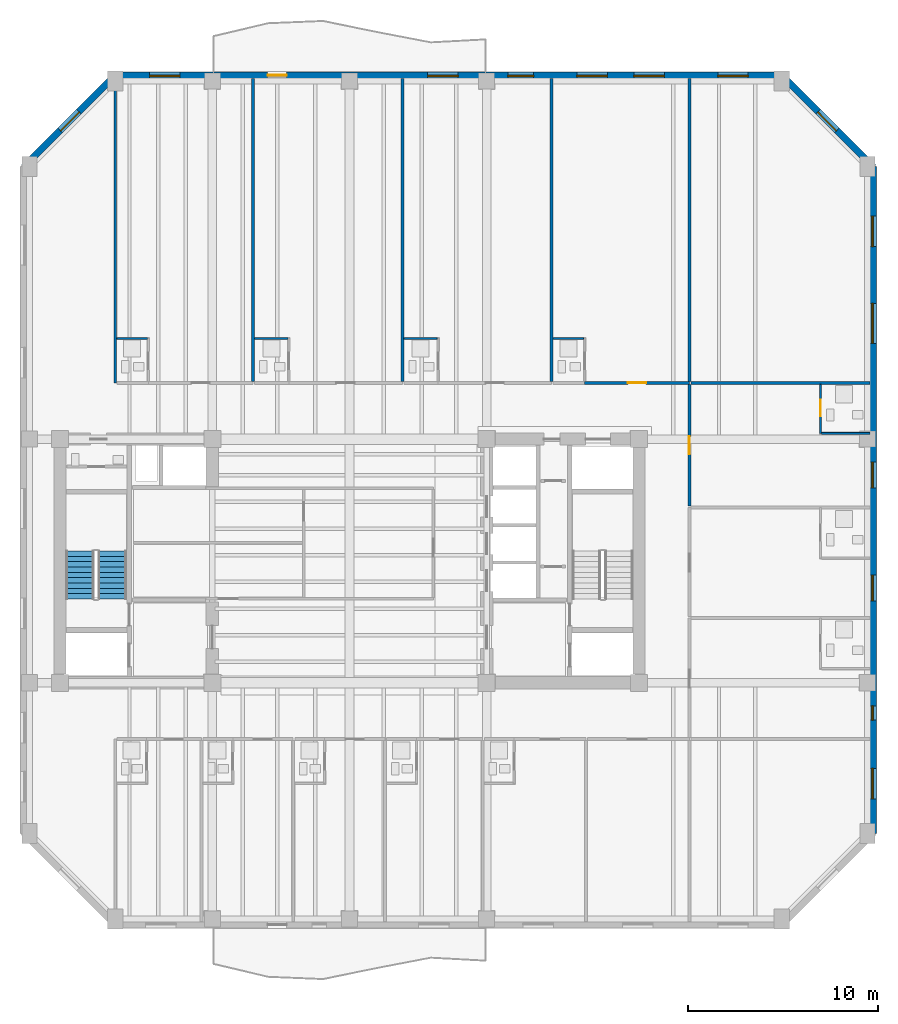
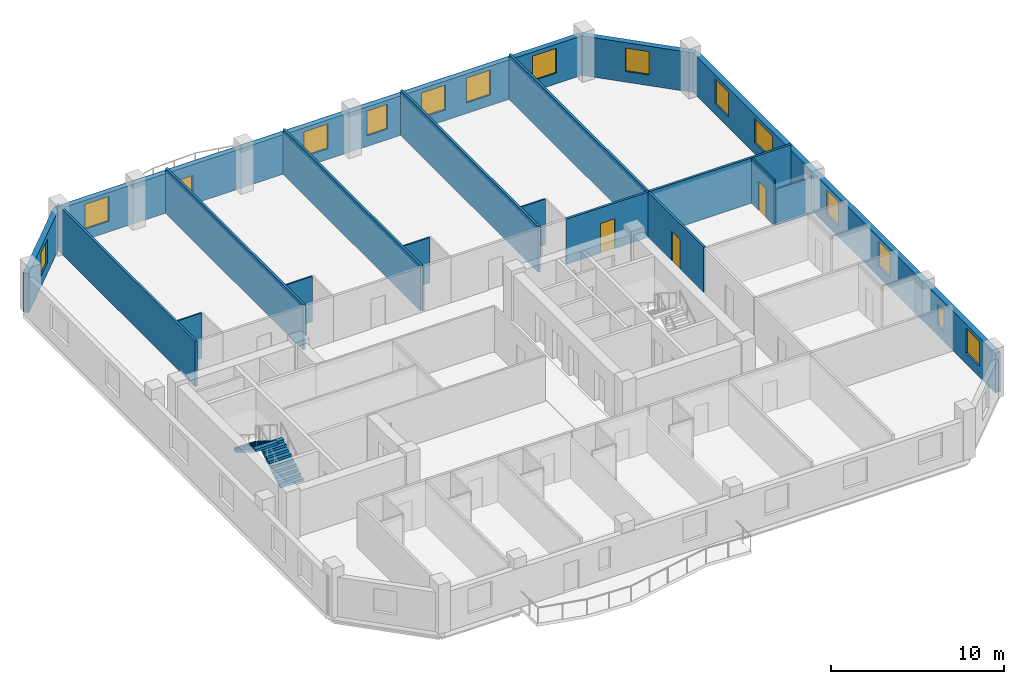
# One storey, part 6 of 11: 18 walls, 14 windows, 4 doors, 2 stair flights, 18 openings, 1 element without a shape of its own.
"""IFC4 building model written with IfcOpenShell, lengths in metres."""

from ifc_helpers import new_model, si_unit, direction, frame, frame_2d, origin, place, context, subcontext, project, spatial, polyline, rectangle, outline, extrude, material, layer, layer_set, type_object, element, fill, aggregate, save


model = new_model("IFC4")

# Units and contexts
model_context = context("Model", 3, precision=1e-05, world=origin(), true_north=direction((0.0, 1.0)))
body_context = subcontext(model_context, "Body", "Model", "MODEL_VIEW")
ifc_project = project(units=[si_unit("LENGTHUNIT", "METRE"), si_unit("AREAUNIT", "SQUARE_METRE"), si_unit("VOLUMEUNIT", "CUBIC_METRE"), si_unit("PLANEANGLEUNIT", "RADIAN"), si_unit("MASSUNIT", "GRAM", prefix="KILO")], contexts=[model_context])

# Site, building, storey
site_placement = place(None, origin())
site = spatial("IfcSite", under=ifc_project, at=site_placement, CompositionType="ELEMENT")
building_placement = place(site_placement, origin())
building = spatial("IfcBuilding", under=site, at=building_placement, Name="Kranthara Brick Stack", CompositionType="ELEMENT")
storey_placement = place(building_placement, frame((0.0, 0.0, 172.800048828125)))
storey = spatial("IfcBuildingStorey", under=building, at=storey_placement, Name="L44", CompositionType="ELEMENT", Elevation=172.800048828125)

# Wall, opening, window
ifc_material_1 = material(Name="Kiln-fired clay brick masonry M15", Category="masonry")
ifc_layer_1 = layer(ifc_material_1, 0.35009765625)
ifc_layer_set_1 = layer_set([ifc_layer_1], Name="Kiln-fired clay brick masonry M15")
wall_type_1 = type_object("IfcWallType", Name="WL-BRK-SPND-350", PredefinedType="STANDARD", material=ifc_layer_set_1)
wall_1_placement = place(storey_placement, frame((10.89501953125, 47.89990234375, 0.0), z_axis=(0.0, 0.0, 1.0), x_axis=(0.707088817216, 0.7071247447, 0.0)))
wall_1 = element("IfcWall", 1, at=wall_1_placement, inside=storey, type_object=wall_type_1, Name="L44 Exterior Brick Facade Wall NW 1", PredefinedType="STANDARD", context=body_context, shape_type="SweptSolid", body=[
    extrude(rectangle(XDim=6.79541015625, YDim=0.35009765625, at=frame_2d((3.397705078125, 0.0))), origin(), (0.0, 0.0, 1.0), 2.784912109375),
])
opening_1_placement = place(wall_1_placement, frame((2.697998046875, 0.0, 0.75)))
opening_1 = element("IfcOpeningElement", 2, at=opening_1_placement, cuts=wall_1, Name="Opening WN10", PredefinedType="OPENING", context=body_context, shape_type="SweptSolid", body=[
    extrude(rectangle(XDim=1.39990234375, YDim=1.64990234375, at=frame_2d((0.699951171875, 0.824951171875))), frame((0.0, 0.18505859375, 0.0), z_axis=(0.0, -1.0, 0.0), x_axis=(1.0, 0.0, 0.0)), (0.0, 0.0, 1.0), 0.3701171875),
])
ifc_material_2 = material(Name="Double-glazed low-E solar control glass", Category="glass")
window_type_1 = type_object("IfcWindowType", Name="WN-CHM-1400x1750", PartitioningType="SINGLE_PANEL", PredefinedType="WINDOW", material=ifc_material_2)
window_1_placement = place(opening_1_placement, origin())
window_1 = element("IfcWindow", 3, at=window_1_placement, inside=storey, type_object=window_type_1, Name="L44 NW Chamfer Corner Window", OverallHeight=1.64990234375, OverallWidth=1.39990234375, PartitioningType="SINGLE_PANEL", PredefinedType="WINDOW", context=body_context, shape_type="SweptSolid", body=[
    extrude(rectangle(XDim=1.39990234375, YDim=1.64990234375, at=frame_2d((0.699951171875, 0.824951171875))), frame((0.0, -0.010009765625, 0.0), z_axis=(0.0, -1.0, 0.0), x_axis=(1.0, 0.0, 0.0)), (0.0, 0.0, 1.0), 0.06005859375),
])
fill(opening_1, window_1)

# Wall, openings, door, windows
wall_2_placement = place(storey_placement, frame((15.699951171875, 52.705078125, 0.0), z_axis=(0.0, 0.0, 1.0), x_axis=(1.0, 0.0, 0.0)))
wall_2 = element("IfcWall", 4, at=wall_2_placement, inside=storey, type_object=wall_type_1, Name="L44 Exterior Brick Facade Wall NORTH 1", PredefinedType="STANDARD", context=body_context, shape_type="SweptSolid", body=[
    extrude(rectangle(XDim=35.0, YDim=0.35009765625, at=frame_2d((17.5, 0.0))), origin(), (0.0, 0.0, 1.0), 2.784912109375),
])
opening_2_placement = place(wall_2_placement, frame((8.0, 0.0, 0.0)))
opening_2 = element("IfcOpeningElement", 5, at=opening_2_placement, cuts=wall_2, Name="Opening D03", PredefinedType="OPENING", context=body_context, shape_type="SweptSolid", body=[
    extrude(rectangle(XDim=1.0, YDim=2.02001953125, at=frame_2d((0.5, 1.010009765625))), frame((0.0, 0.18505859375, 0.0), z_axis=(0.0, -1.0, 0.0), x_axis=(1.0, 0.0, 0.0)), (0.0, 0.0, 1.0), 0.3701171875),
])
opening_3_placement = place(wall_2_placement, frame((1.800048828125, 0.0, 0.75)))
opening_3 = element("IfcOpeningElement", 6, at=opening_3_placement, cuts=wall_2, Name="Opening WN04", PredefinedType="OPENING", context=body_context, shape_type="SweptSolid", body=[
    extrude(rectangle(XDim=1.60009765625, YDim=1.75, at=frame_2d((0.800048828125, 0.875))), frame((0.0, 0.18505859375, 0.0), z_axis=(0.0, -1.0, 0.0), x_axis=(1.0, 0.0, 0.0)), (0.0, 0.0, 1.0), 0.3701171875),
])
opening_4_placement = place(wall_2_placement, frame((16.39990234375, 0.0, 0.75)))
opening_4 = element("IfcOpeningElement", 7, at=opening_4_placement, cuts=wall_2, Name="Opening WN04", PredefinedType="OPENING", context=body_context, shape_type="SweptSolid", body=[
    extrude(rectangle(XDim=1.60009765625, YDim=1.75, at=frame_2d((0.800048828125, 0.875))), frame((0.0, 0.18505859375, 0.0), z_axis=(0.0, -1.0, 0.0), x_axis=(1.0, 0.0, 0.0)), (0.0, 0.0, 1.0), 0.3701171875),
])
opening_5_placement = place(wall_2_placement, frame((20.618896484375, 0.0, 0.75)))
opening_5 = element("IfcOpeningElement", 8, at=opening_5_placement, cuts=wall_2, Name="Opening WN06", PredefinedType="OPENING", context=body_context, shape_type="SweptSolid", body=[
    extrude(rectangle(XDim=1.35009765625, YDim=1.75, at=frame_2d((0.675048828125, 0.875))), frame((0.0, 0.18505859375, 0.0), z_axis=(0.0, -1.0, 0.0), x_axis=(1.0, 0.0, 0.0)), (0.0, 0.0, 1.0), 0.3701171875),
])
opening_6_placement = place(wall_2_placement, frame((24.235107421875, 0.0, 0.75)))
opening_6 = element("IfcOpeningElement", 9, at=opening_6_placement, cuts=wall_2, Name="Opening WN04", PredefinedType="OPENING", context=body_context, shape_type="SweptSolid", body=[
    extrude(rectangle(XDim=1.60009765625, YDim=1.75, at=frame_2d((0.800048828125, 0.875))), frame((0.0, 0.18505859375, 0.0), z_axis=(0.0, -1.0, 0.0), x_axis=(1.0, 0.0, 0.0)), (0.0, 0.0, 1.0), 0.3701171875),
])
opening_7_placement = place(wall_2_placement, frame((27.22900390625, 0.0, 0.75)))
opening_7 = element("IfcOpeningElement", 10, at=opening_7_placement, cuts=wall_2, Name="Opening WN04", PredefinedType="OPENING", context=body_context, shape_type="SweptSolid", body=[
    extrude(rectangle(XDim=1.60009765625, YDim=1.75, at=frame_2d((0.800048828125, 0.875))), frame((0.0, 0.18505859375, 0.0), z_axis=(0.0, -1.0, 0.0), x_axis=(1.0, 0.0, 0.0)), (0.0, 0.0, 1.0), 0.3701171875),
])
opening_8_placement = place(wall_2_placement, frame((31.636962890625, 0.0, 0.75)))
opening_8 = element("IfcOpeningElement", 11, at=opening_8_placement, cuts=wall_2, Name="Opening WN04", PredefinedType="OPENING", context=body_context, shape_type="SweptSolid", body=[
    extrude(rectangle(XDim=1.60009765625, YDim=1.75, at=frame_2d((0.800048828125, 0.875))), frame((0.0, 0.18505859375, 0.0), z_axis=(0.0, -1.0, 0.0), x_axis=(1.0, 0.0, 0.0)), (0.0, 0.0, 1.0), 0.3701171875),
])
ifc_material_3 = material(Name="Bronze anodised aluminium and laminated glass", Category="aluminium")
door_type_1 = type_object("IfcDoorType", Name="DR-BALC-1000", OperationType="NOTDEFINED", PredefinedType="DOOR", material=ifc_material_3)
door_1_placement = place(opening_2_placement, origin())
door_1 = element("IfcDoor", 12, at=door_1_placement, inside=storey, type_object=door_type_1, Name="L44 North Balcony Terrace Door", OperationType="SINGLE_SWING_RIGHT", OverallHeight=2.02001953125, OverallWidth=1.0, PredefinedType="DOOR", context=body_context, shape_type="SweptSolid", body=[
    extrude(rectangle(XDim=1.0, YDim=2.02001953125, at=frame_2d((0.5, 1.010009765625))), frame((0.0, 0.02490234375, 0.0), z_axis=(0.0, -1.0, 0.0), x_axis=(1.0, 0.0, 0.0)), (0.0, 0.0, 1.0), 0.050048828125),
])
fill(opening_2, door_1)
ifc_material_4 = material(Name="Double-glazed low-E solar control glass", Category="glass")
window_type_2 = type_object("IfcWindowType", Name="WN-HTL-1350x1850", PartitioningType="SINGLE_PANEL", PredefinedType="WINDOW", material=ifc_material_4)
window_2_placement = place(opening_5_placement, origin())
window_2 = element("IfcWindow", 13, at=window_2_placement, inside=storey, type_object=window_type_2, Name="L44 North Deep-Set Brick Window 03", OverallHeight=1.75, OverallWidth=1.35009765625, PartitioningType="SINGLE_PANEL", PredefinedType="WINDOW", context=body_context, shape_type="SweptSolid", body=[
    extrude(rectangle(XDim=1.35009765625, YDim=1.75, at=frame_2d((0.675048828125, 0.875))), frame((0.0, -0.010009765625, 0.0), z_axis=(0.0, -1.0, 0.0), x_axis=(1.0, 0.0, 0.0)), (0.0, 0.0, 1.0), 0.06005859375),
])
fill(opening_5, window_2)
ifc_material_5 = material(Name="Double-glazed low-E solar control glass", Category="glass")
window_type_3 = type_object("IfcWindowType", Name="WN-HTL-1600x1850", PartitioningType="DOUBLE_PANEL_VERTICAL", PredefinedType="WINDOW", material=ifc_material_5)
window_3_placement = place(opening_3_placement, origin())
window_3 = element("IfcWindow", 14, at=window_3_placement, inside=storey, type_object=window_type_3, Name="L44 North Deep-Set Brick Window 01", OverallHeight=1.75, OverallWidth=1.60009765625, PartitioningType="SINGLE_PANEL", PredefinedType="WINDOW", context=body_context, shape_type="SweptSolid", body=[
    extrude(rectangle(XDim=1.60009765625, YDim=1.75, at=frame_2d((0.800048828125, 0.875))), frame((0.0, -0.010009765625, 0.0), z_axis=(0.0, -1.0, 0.0), x_axis=(1.0, 0.0, 0.0)), (0.0, 0.0, 1.0), 0.06005859375),
])
fill(opening_3, window_3)
window_4_placement = place(opening_4_placement, origin())
window_4 = element("IfcWindow", 15, at=window_4_placement, inside=storey, type_object=window_type_3, Name="L44 North Deep-Set Brick Window 02", OverallHeight=1.75, OverallWidth=1.60009765625, PartitioningType="SINGLE_PANEL", PredefinedType="WINDOW", context=body_context, shape_type="SweptSolid", body=[
    extrude(rectangle(XDim=1.60009765625, YDim=1.75, at=frame_2d((0.800048828125, 0.875))), frame((0.0, -0.010009765625, 0.0), z_axis=(0.0, -1.0, 0.0), x_axis=(1.0, 0.0, 0.0)), (0.0, 0.0, 1.0), 0.06005859375),
])
fill(opening_4, window_4)
window_5_placement = place(opening_6_placement, origin())
window_5 = element("IfcWindow", 16, at=window_5_placement, inside=storey, type_object=window_type_3, Name="L44 North Deep-Set Brick Window 04", OverallHeight=1.75, OverallWidth=1.60009765625, PartitioningType="SINGLE_PANEL", PredefinedType="WINDOW", context=body_context, shape_type="SweptSolid", body=[
    extrude(rectangle(XDim=1.60009765625, YDim=1.75, at=frame_2d((0.800048828125, 0.875))), frame((0.0, -0.010009765625, 0.0), z_axis=(0.0, -1.0, 0.0), x_axis=(1.0, 0.0, 0.0)), (0.0, 0.0, 1.0), 0.06005859375),
])
fill(opening_6, window_5)
window_6_placement = place(opening_7_placement, origin())
window_6 = element("IfcWindow", 17, at=window_6_placement, inside=storey, type_object=window_type_3, Name="L44 North Deep-Set Brick Window 05", OverallHeight=1.75, OverallWidth=1.60009765625, PartitioningType="SINGLE_PANEL", PredefinedType="WINDOW", context=body_context, shape_type="SweptSolid", body=[
    extrude(rectangle(XDim=1.60009765625, YDim=1.75, at=frame_2d((0.800048828125, 0.875))), frame((0.0, -0.010009765625, 0.0), z_axis=(0.0, -1.0, 0.0), x_axis=(1.0, 0.0, 0.0)), (0.0, 0.0, 1.0), 0.06005859375),
])
fill(opening_7, window_6)
window_7_placement = place(opening_8_placement, origin())
window_7 = element("IfcWindow", 18, at=window_7_placement, inside=storey, type_object=window_type_3, Name="L44 North Deep-Set Brick Window 06", OverallHeight=1.75, OverallWidth=1.60009765625, PartitioningType="SINGLE_PANEL", PredefinedType="WINDOW", context=body_context, shape_type="SweptSolid", body=[
    extrude(rectangle(XDim=1.60009765625, YDim=1.75, at=frame_2d((0.800048828125, 0.875))), frame((0.0, -0.010009765625, 0.0), z_axis=(0.0, -1.0, 0.0), x_axis=(1.0, 0.0, 0.0)), (0.0, 0.0, 1.0), 0.06005859375),
])
fill(opening_8, window_7)

# Wall, opening, window
wall_3_placement = place(storey_placement, frame((50.699951171875, 52.705078125, 0.0), z_axis=(0.0, 0.0, 1.0), x_axis=(0.707088817216, -0.7071247447, 0.0)))
wall_3 = element("IfcWall", 19, at=wall_3_placement, inside=storey, type_object=wall_type_1, Name="L44 Exterior Brick Facade Wall NE 1", PredefinedType="STANDARD", context=body_context, shape_type="SweptSolid", body=[
    extrude(rectangle(XDim=6.79541015625, YDim=0.35009765625, at=frame_2d((3.397705078125, 0.0))), origin(), (0.0, 0.0, 1.0), 2.784912109375),
])
opening_9_placement = place(wall_3_placement, frame((2.697998046875, 0.0, 0.75)))
opening_9 = element("IfcOpeningElement", 20, at=opening_9_placement, cuts=wall_3, Name="Opening WN10", PredefinedType="OPENING", context=body_context, shape_type="SweptSolid", body=[
    extrude(rectangle(XDim=1.39990234375, YDim=1.64990234375, at=frame_2d((0.699951171875, 0.824951171875))), frame((0.0, 0.18505859375, 0.0), z_axis=(0.0, -1.0, 0.0), x_axis=(1.0, 0.0, 0.0)), (0.0, 0.0, 1.0), 0.3701171875),
])
window_8_placement = place(opening_9_placement, origin())
window_8 = element("IfcWindow", 21, at=window_8_placement, inside=storey, type_object=window_type_1, Name="L44 NE Chamfer Corner Window", OverallHeight=1.64990234375, OverallWidth=1.39990234375, PartitioningType="SINGLE_PANEL", PredefinedType="WINDOW", context=body_context, shape_type="SweptSolid", body=[
    extrude(rectangle(XDim=1.39990234375, YDim=1.64990234375, at=frame_2d((0.699951171875, 0.824951171875))), frame((0.0, -0.010009765625, 0.0), z_axis=(0.0, -1.0, 0.0), x_axis=(1.0, 0.0, 0.0)), (0.0, 0.0, 1.0), 0.06005859375),
])
fill(opening_9, window_8)

# Wall, openings, windows
wall_4_placement = place(storey_placement, frame((55.5048828125, 47.89990234375, 0.0), z_axis=(0.0, 0.0, 1.0), x_axis=(0.0, -1.0, 0.0)))
wall_4 = element("IfcWall", 22, at=wall_4_placement, inside=storey, type_object=wall_type_1, Name="L44 Exterior Brick Facade Wall EAST 1", PredefinedType="STANDARD", context=body_context, shape_type="SweptSolid", body=[
    extrude(rectangle(XDim=35.0, YDim=0.35009765625, at=frame_2d((17.5, 0.0))), origin(), (0.0, 0.0, 1.0), 2.784912109375),
])
opening_10_placement = place(wall_4_placement, frame((2.594970703125, 0.0, 0.75)))
opening_10 = element("IfcOpeningElement", 23, at=opening_10_placement, cuts=wall_4, Name="Opening WN04", PredefinedType="OPENING", context=body_context, shape_type="SweptSolid", body=[
    extrude(rectangle(XDim=1.60009765625, YDim=1.75, at=frame_2d((0.800048828125, 0.875))), frame((0.0, 0.18505859375, 0.0), z_axis=(0.0, -1.0, 0.0), x_axis=(1.0, 0.0, 0.0)), (0.0, 0.0, 1.0), 0.3701171875),
])
opening_11_placement = place(wall_4_placement, frame((7.180908203125, 0.0, 0.75)))
opening_11 = element("IfcOpeningElement", 24, at=opening_11_placement, cuts=wall_4, Name="Opening WN05", PredefinedType="OPENING", context=body_context, shape_type="SweptSolid", body=[
    extrude(rectangle(XDim=2.10009765625, YDim=1.75, at=frame_2d((1.050048828125, 0.875))), frame((0.0, 0.18505859375, 0.0), z_axis=(0.0, -1.0, 0.0), x_axis=(1.0, 0.0, 0.0)), (0.0, 0.0, 1.0), 0.3701171875),
])
opening_12_placement = place(wall_4_placement, frame((15.511962890625, 0.0, 0.75)))
opening_12 = element("IfcOpeningElement", 25, at=opening_12_placement, cuts=wall_4, Name="Opening WN06", PredefinedType="OPENING", context=body_context, shape_type="SweptSolid", body=[
    extrude(rectangle(XDim=1.35009765625, YDim=1.75, at=frame_2d((0.675048828125, 0.875))), frame((0.0, 0.18505859375, 0.0), z_axis=(0.0, -1.0, 0.0), x_axis=(1.0, 0.0, 0.0)), (0.0, 0.0, 1.0), 0.3701171875),
])
opening_13_placement = place(wall_4_placement, frame((21.449951171875, 0.0, 0.75)))
opening_13 = element("IfcOpeningElement", 26, at=opening_13_placement, cuts=wall_4, Name="Opening WN06", PredefinedType="OPENING", context=body_context, shape_type="SweptSolid", body=[
    extrude(rectangle(XDim=1.35009765625, YDim=1.75, at=frame_2d((0.675048828125, 0.875))), frame((0.0, 0.18505859375, 0.0), z_axis=(0.0, -1.0, 0.0), x_axis=(1.0, 0.0, 0.0)), (0.0, 0.0, 1.0), 0.3701171875),
])
opening_14_placement = place(wall_4_placement, frame((31.587890625, 0.0, 0.75)))
opening_14 = element("IfcOpeningElement", 27, at=opening_14_placement, cuts=wall_4, Name="Opening WN04", PredefinedType="OPENING", context=body_context, shape_type="SweptSolid", body=[
    extrude(rectangle(XDim=1.60009765625, YDim=1.75, at=frame_2d((0.800048828125, 0.875))), frame((0.0, 0.18505859375, 0.0), z_axis=(0.0, -1.0, 0.0), x_axis=(1.0, 0.0, 0.0)), (0.0, 0.0, 1.0), 0.3701171875),
])
opening_15_placement = place(wall_4_placement, frame((28.31201171875, 0.0, 0.75)))
opening_15 = element("IfcOpeningElement", 28, at=opening_15_placement, cuts=wall_4, Name="Opening WN13", PredefinedType="OPENING", context=body_context, shape_type="SweptSolid", body=[
    extrude(rectangle(XDim=0.75, YDim=1.449951171875, at=frame_2d((0.375, 0.72509765625))), frame((0.0, 0.18505859375, 0.0), z_axis=(0.0, -1.0, 0.0), x_axis=(1.0, 0.0, 0.0)), (0.0, 0.0, 1.0), 0.3701171875),
])
ifc_material_6 = material(Name="Double-glazed low-E solar control glass", Category="glass")
window_type_4 = type_object("IfcWindowType", Name="WN-CAS-750x1450", PartitioningType="SINGLE_PANEL", PredefinedType="WINDOW", material=ifc_material_6)
window_9_placement = place(opening_15_placement, origin())
window_9 = element("IfcWindow", 29, at=window_9_placement, inside=storey, type_object=window_type_4, Name="L44 East Deep-Set Casement Window 06", OverallHeight=1.449951171875, OverallWidth=0.75, PartitioningType="SINGLE_PANEL", PredefinedType="WINDOW", context=body_context, shape_type="SweptSolid", body=[
    extrude(rectangle(XDim=0.75, YDim=1.449951171875, at=frame_2d((0.375, 0.72509765625))), frame((0.0, -0.010009765625, 0.0), z_axis=(0.0, -1.0, 0.0), x_axis=(1.0, 0.0, 0.0)), (0.0, 0.0, 1.0), 0.06005859375),
])
fill(opening_15, window_9)
window_10_placement = place(opening_12_placement, origin())
window_10 = element("IfcWindow", 30, at=window_10_placement, inside=storey, type_object=window_type_2, Name="L44 East Deep-Set Brick Window 03", OverallHeight=1.75, OverallWidth=1.35009765625, PartitioningType="SINGLE_PANEL", PredefinedType="WINDOW", context=body_context, shape_type="SweptSolid", body=[
    extrude(rectangle(XDim=1.35009765625, YDim=1.75, at=frame_2d((0.675048828125, 0.875))), frame((0.0, -0.010009765625, 0.0), z_axis=(0.0, -1.0, 0.0), x_axis=(1.0, 0.0, 0.0)), (0.0, 0.0, 1.0), 0.06005859375),
])
fill(opening_12, window_10)
window_11_placement = place(opening_13_placement, origin())
window_11 = element("IfcWindow", 31, at=window_11_placement, inside=storey, type_object=window_type_2, Name="L44 East Deep-Set Brick Window 04", OverallHeight=1.75, OverallWidth=1.35009765625, PartitioningType="SINGLE_PANEL", PredefinedType="WINDOW", context=body_context, shape_type="SweptSolid", body=[
    extrude(rectangle(XDim=1.35009765625, YDim=1.75, at=frame_2d((0.675048828125, 0.875))), frame((0.0, -0.010009765625, 0.0), z_axis=(0.0, -1.0, 0.0), x_axis=(1.0, 0.0, 0.0)), (0.0, 0.0, 1.0), 0.06005859375),
])
fill(opening_13, window_11)
window_12_placement = place(opening_10_placement, origin())
window_12 = element("IfcWindow", 32, at=window_12_placement, inside=storey, type_object=window_type_3, Name="L44 East Deep-Set Brick Window 01", OverallHeight=1.75, OverallWidth=1.60009765625, PartitioningType="SINGLE_PANEL", PredefinedType="WINDOW", context=body_context, shape_type="SweptSolid", body=[
    extrude(rectangle(XDim=1.60009765625, YDim=1.75, at=frame_2d((0.800048828125, 0.875))), frame((0.0, -0.010009765625, 0.0), z_axis=(0.0, -1.0, 0.0), x_axis=(1.0, 0.0, 0.0)), (0.0, 0.0, 1.0), 0.06005859375),
])
fill(opening_10, window_12)
window_13_placement = place(opening_14_placement, origin())
window_13 = element("IfcWindow", 33, at=window_13_placement, inside=storey, type_object=window_type_3, Name="L44 East Deep-Set Brick Window 05", OverallHeight=1.75, OverallWidth=1.60009765625, PartitioningType="SINGLE_PANEL", PredefinedType="WINDOW", context=body_context, shape_type="SweptSolid", body=[
    extrude(rectangle(XDim=1.60009765625, YDim=1.75, at=frame_2d((0.800048828125, 0.875))), frame((0.0, -0.010009765625, 0.0), z_axis=(0.0, -1.0, 0.0), x_axis=(1.0, 0.0, 0.0)), (0.0, 0.0, 1.0), 0.06005859375),
])
fill(opening_14, window_13)
ifc_material_7 = material(Name="Double-glazed low-E solar control glass", Category="glass")
window_type_5 = type_object("IfcWindowType", Name="WN-HTL-2100x1850", PartitioningType="DOUBLE_PANEL_VERTICAL", PredefinedType="WINDOW", material=ifc_material_7)
window_14_placement = place(opening_11_placement, origin())
window_14 = element("IfcWindow", 34, at=window_14_placement, inside=storey, type_object=window_type_5, Name="L44 East Deep-Set Brick Window 02", OverallHeight=1.75, OverallWidth=2.10009765625, PartitioningType="SINGLE_PANEL", PredefinedType="WINDOW", context=body_context, shape_type="SweptSolid", body=[
    extrude(rectangle(XDim=2.10009765625, YDim=1.75, at=frame_2d((1.050048828125, 0.875))), frame((0.0, -0.010009765625, 0.0), z_axis=(0.0, -1.0, 0.0), x_axis=(1.0, 0.0, 0.0)), (0.0, 0.0, 1.0), 0.06005859375),
])
fill(opening_11, window_14)

# Walls
ifc_material_8 = material(Name="Moisture-resistant wet-room partition", Category="other")
ifc_layer_2 = layer(ifc_material_8, 0.10009765625)
ifc_layer_set_2 = layer_set([ifc_layer_2], Name="Moisture-resistant wet-room partition")
wall_type_2 = type_object("IfcWallType", Name="WL-PART-100", PredefinedType="PARTITIONING", material=ifc_layer_set_2)
wall_5_placement = place(storey_placement, frame((15.780029296875, 38.8798828125, 0.0), z_axis=(0.0, 0.0, 1.0), x_axis=(1.0, 0.0, 0.0)))
element("IfcWall", 35, at=wall_5_placement, inside=storey, type_object=wall_type_2, Name="L44 Interior Partition 041", PredefinedType="PARTITIONING", context=body_context, shape_type="SweptSolid", body=[
    extrude(rectangle(XDim=1.6015625, YDim=0.10009765625, at=frame_2d((0.80078125, 0.0))), origin(), (0.0, 0.0, 1.0), 3.199951171875),
])
for number, where, z_axis, x_axis, name in (
    (36, (23.01611328125, 38.8798828125, 0.0), (0.0, 0.0, 1.0), (1.0, 0.0, 0.0), "L44 Interior Partition 046"),
    (37, (30.85498046875, 38.8798828125, 0.0), (0.0, 0.0, 1.0), (1.0, 0.0, 0.0), "L44 Interior Partition 051"),
):
    element("IfcWall", number, at=place(storey_placement, frame(where, z_axis=z_axis, x_axis=x_axis)), inside=storey, type_object=wall_type_2, Name=name, PredefinedType="PARTITIONING", context=body_context, shape_type="SweptSolid", body=[
        extrude(rectangle(XDim=1.746337890625, YDim=0.10009765625, at=frame_2d((0.873046875, 0.0))), origin(), (0.0, 0.0, 1.0), 3.199951171875),
    ])
wall_6_placement = place(storey_placement, frame((38.694091796875, 38.8798828125, 0.0), z_axis=(0.0, 0.0, 1.0), x_axis=(1.0, 0.0, 0.0)))
element("IfcWall", 38, at=wall_6_placement, inside=storey, type_object=wall_type_2, Name="L44 Interior Partition 056", PredefinedType="PARTITIONING", context=body_context, shape_type="SweptSolid", body=[
    extrude(rectangle(XDim=1.6015625, YDim=0.10009765625, at=frame_2d((0.80078125, 0.0))), origin(), (0.0, 0.0, 1.0), 3.199951171875),
])

# Wall, opening, door
wall_7_placement = place(storey_placement, frame((52.72998046875, 33.89990234375, 0.0), z_axis=(0.0, 0.0, 1.0), x_axis=(0.0, 1.0, 0.0)))
wall_7 = element("IfcWall", 39, at=wall_7_placement, inside=storey, type_object=wall_type_2, Name="L44 Interior Partition 069", PredefinedType="PARTITIONING", context=body_context, shape_type="SweptSolid", body=[
    extrude(rectangle(XDim=2.570068359375, YDim=0.10009765625, at=frame_2d((1.28515625, 0.0))), origin(), (0.0, 0.0, 1.0), 3.199951171875),
])
opening_16_placement = place(wall_7_placement, frame((0.905029296875, 0.0, 0.0)))
opening_16 = element("IfcOpeningElement", 40, at=opening_16_placement, cuts=wall_7, Name="Opening D17", PredefinedType="OPENING", context=body_context, shape_type="SweptSolid", body=[
    extrude(rectangle(XDim=0.85009765625, YDim=2.050048828125, at=frame_2d((0.425048828125, 1.02490234375))), frame((0.0, 0.06005859375, 0.0), z_axis=(0.0, -1.0, 0.0), x_axis=(1.0, 0.0, 0.0)), (0.0, 0.0, 1.0), 0.1201171875),
])
ifc_material_9 = material(Name="Solid-core hardwood timber leaf in steel frame", Category="steel")
door_type_2 = type_object("IfcDoorType", Name="DR-WET-850", OperationType="NOTDEFINED", PredefinedType="DOOR", material=ifc_material_9)
door_2_placement = place(opening_16_placement, origin())
door_2 = element("IfcDoor", 41, at=door_2_placement, inside=storey, type_object=door_type_2, Name="L44 East Key 13 Bath 30", OperationType="SINGLE_SWING_RIGHT", OverallHeight=2.050048828125, OverallWidth=0.85009765625, PredefinedType="DOOR", context=body_context, shape_type="SweptSolid", body=[
    extrude(rectangle(XDim=0.85009765625, YDim=2.050048828125, at=frame_2d((0.425048828125, 1.02490234375))), frame((0.0, 0.02490234375, 0.0), z_axis=(0.0, -1.0, 0.0), x_axis=(1.0, 0.0, 0.0)), (0.0, 0.0, 1.0), 0.050048828125),
])
fill(opening_16, door_2)

# Walls
wall_8_placement = place(storey_placement, frame((52.784912109375, 33.89990234375, 0.0), z_axis=(0.0, 0.0, 1.0), x_axis=(1.0, 0.0, 0.0)))
element("IfcWall", 42, at=wall_8_placement, inside=storey, type_object=wall_type_2, Name="L44 Interior Partition 070", PredefinedType="PARTITIONING", context=body_context, shape_type="SweptSolid", body=[
    extrude(rectangle(XDim=2.5400390625, YDim=0.10009765625, at=frame_2d((1.27001953125, 0.0))), origin(), (0.0, 0.0, 1.0), 2.534912109375),
])
ifc_material_10 = material(Name="Fire-rated gypsum board partition", Category="other")
ifc_layer_3 = layer(ifc_material_10, 0.14990234375)
ifc_layer_set_3 = layer_set([ifc_layer_3], Name="Fire-rated gypsum board partition")
wall_type_3 = type_object("IfcWallType", Name="WL-PART-150", PredefinedType="PARTITIONING", material=ifc_layer_set_3)
wall_9_placement = place(storey_placement, frame((15.699951171875, 36.550048828125, 0.0), z_axis=(0.0, 0.0, 1.0), x_axis=(0.0, 1.0, 0.0)))
element("IfcWall", 43, at=wall_9_placement, inside=storey, type_object=wall_type_3, Name="L44 Interior Partition 037", PredefinedType="PARTITIONING", context=body_context, shape_type="SweptSolid", body=[
    extrude(rectangle(XDim=15.974853515625, YDim=0.14990234375, at=frame_2d((7.9873046875, 0.0))), origin(), (0.0, 0.0, 1.0), 3.199951171875),
])
for number, where, z_axis, x_axis, name in (
    (44, (22.93603515625, 36.6298828125, 0.0), (0.0, 0.0, 1.0), (0.0, 1.0, 0.0), "L44 Interior Partition 042"),
    (45, (30.77490234375, 36.6298828125, 0.0), (0.0, 0.0, 1.0), (0.0, 1.0, 0.0), "L44 Interior Partition 047"),
    (46, (38.614013671875, 36.6298828125, 0.0), (0.0, 0.0, 1.0), (0.0, 1.0, 0.0), "L44 Interior Partition 052"),
):
    element("IfcWall", number, at=place(storey_placement, frame(where, z_axis=z_axis, x_axis=x_axis)), inside=storey, type_object=wall_type_3, Name=name, PredefinedType="PARTITIONING", context=body_context, shape_type="SweptSolid", body=[
        extrude(rectangle(XDim=15.89501953125, YDim=0.14990234375, at=frame_2d((7.947509765625, 0.0))), origin(), (0.0, 0.0, 1.0), 3.199951171875),
    ])

# Wall, opening, door
wall_10_placement = place(storey_placement, frame((40.3505859375, 36.550048828125, 0.0), z_axis=(0.0, 0.0, 1.0), x_axis=(1.0, 0.0, 0.0)))
wall_10 = element("IfcWall", 47, at=wall_10_placement, inside=storey, type_object=wall_type_3, Name="L44 Interior Partition 054", PredefinedType="PARTITIONING", context=body_context, shape_type="SweptSolid", body=[
    extrude(rectangle(XDim=5.49951171875, YDim=0.14990234375, at=frame_2d((2.749755859375, 0.0))), origin(), (0.0, 0.0, 1.0), 3.199951171875),
])
opening_17_placement = place(wall_10_placement, frame((2.27001953125, 0.0, 0.0)))
opening_17 = element("IfcOpeningElement", 48, at=opening_17_placement, cuts=wall_10, Name="Opening D09", PredefinedType="OPENING", context=body_context, shape_type="SweptSolid", body=[
    extrude(rectangle(XDim=0.949951171875, YDim=2.10009765625, at=frame_2d((0.47509765625, 1.050048828125))), frame((0.0, 0.0849609375, 0.0), z_axis=(0.0, -1.0, 0.0), x_axis=(1.0, 0.0, 0.0)), (0.0, 0.0, 1.0), 0.169921875),
])
ifc_material_11 = material(Name="Solid-core hardwood timber leaf in steel frame", Category="steel")
door_type_3 = type_object("IfcDoorType", Name="DR-FD-950", OperationType="NOTDEFINED", PredefinedType="DOOR", material=ifc_material_11)
door_3_placement = place(opening_17_placement, origin())
door_3 = element("IfcDoor", 49, at=door_3_placement, inside=storey, type_object=door_type_3, Name="L44 Key 10 Entry 25", OperationType="SINGLE_SWING_LEFT", OverallHeight=2.10009765625, OverallWidth=0.949951171875, PredefinedType="DOOR", context=body_context, shape_type="SweptSolid", body=[
    extrude(rectangle(XDim=0.949951171875, YDim=2.10009765625, at=frame_2d((0.47509765625, 1.050048828125))), frame((0.0, 0.02490234375, 0.0), z_axis=(0.0, -1.0, 0.0), x_axis=(1.0, 0.0, 0.0)), (0.0, 0.0, 1.0), 0.050048828125),
])
fill(opening_17, door_3)

# Walls
wall_11_placement = place(storey_placement, frame((45.85009765625, 36.6298828125, 0.0), z_axis=(0.0, 0.0, 1.0), x_axis=(0.0, 1.0, 0.0)))
element("IfcWall", 50, at=wall_11_placement, inside=storey, type_object=wall_type_3, Name="L44 Interior Partition 057", PredefinedType="PARTITIONING", context=body_context, shape_type="SweptSolid", body=[
    extrude(rectangle(XDim=15.89501953125, YDim=0.14990234375, at=frame_2d((7.947509765625, 0.0))), origin(), (0.0, 0.0, 1.0), 3.199951171875),
])
wall_12_placement = place(storey_placement, frame((45.929931640625, 36.550048828125, 0.0), z_axis=(0.0, 0.0, 1.0), x_axis=(1.0, 0.0, 0.0)))
element("IfcWall", 51, at=wall_12_placement, inside=storey, type_object=wall_type_3, Name="L44 Interior Partition 059", PredefinedType="PARTITIONING", context=body_context, shape_type="SweptSolid", body=[
    extrude(rectangle(XDim=9.39501953125, YDim=0.14990234375, at=frame_2d((4.697509765625, 0.0))), origin(), (0.0, 0.0, 1.0), 3.199951171875),
])

# Wall, opening, door
wall_13_placement = place(storey_placement, frame((45.85009765625, 30.080078125, 0.0), z_axis=(0.0, 0.0, 1.0), x_axis=(0.0, 1.0, 0.0)))
wall_13 = element("IfcWall", 52, at=wall_13_placement, inside=storey, type_object=wall_type_3, Name="L44 Interior Partition 068", PredefinedType="PARTITIONING", context=body_context, shape_type="SweptSolid", body=[
    extrude(rectangle(XDim=6.389892578125, YDim=0.14990234375, at=frame_2d((3.19482421875, 0.0))), origin(), (0.0, 0.0, 1.0), 3.199951171875),
])
opening_18_placement = place(wall_13_placement, frame((2.715087890625, 0.0, 0.0)))
opening_18 = element("IfcOpeningElement", 53, at=opening_18_placement, cuts=wall_13, Name="Opening D09", PredefinedType="OPENING", context=body_context, shape_type="SweptSolid", body=[
    extrude(rectangle(XDim=0.949951171875, YDim=2.10009765625, at=frame_2d((0.47509765625, 1.050048828125))), frame((0.0, 0.0849609375, 0.0), z_axis=(0.0, -1.0, 0.0), x_axis=(1.0, 0.0, 0.0)), (0.0, 0.0, 1.0), 0.169921875),
])
door_4_placement = place(opening_18_placement, origin())
door_4 = element("IfcDoor", 54, at=door_4_placement, inside=storey, type_object=door_type_3, Name="L44 East Key 13 31", OperationType="SINGLE_SWING_LEFT", OverallHeight=2.10009765625, OverallWidth=0.949951171875, PredefinedType="DOOR", context=body_context, shape_type="SweptSolid", body=[
    extrude(rectangle(XDim=0.949951171875, YDim=2.10009765625, at=frame_2d((0.47509765625, 1.050048828125))), frame((0.0, 0.02490234375, 0.0), z_axis=(0.0, -1.0, 0.0), x_axis=(1.0, 0.0, 0.0)), (0.0, 0.0, 1.0), 0.050048828125),
])
fill(opening_18, door_4)

# Stair, stair flights
ifc_material_12 = material(Name="Concrete C45/55", Category="concrete")
stair_type = type_object("IfcStairType", Name="ST-CORE-20R", PredefinedType="HALF_TURN_STAIR", material=ifc_material_12)
stair_placement = place(storey_placement, origin())
stair = element("IfcStair", 55, at=stair_placement, inside=storey, type_object=stair_type, Name="L44 West Core Protected Exit Stair ST01", PredefinedType="HALF_TURN_STAIR")
ifc_material_13 = material(Name="Concrete C45/55", Category="concrete")
stair_flight_type = type_object("IfcStairFlightType", Name="SFL-RC-20R", PredefinedType="STRAIGHT", material=ifc_material_13)
stair_flight_1_placement = place(storey_placement, frame((15.550048828125, 25.199951171875, 0.0), z_axis=(0.0, 0.0, 1.0), x_axis=(0.0, 1.0, 0.0)))
stair_flight_1 = element("IfcStairFlight", 56, at=stair_flight_1_placement, type_object=stair_flight_type, Name="ST01 flight 1", NumberOfRisers=10, NumberOfTreads=9, PredefinedType="STRAIGHT", RiserHeight=0.175, TreadLength=0.28, context=body_context, shape_type="SweptSolid", body=[
    extrude(outline(polyline([(0.0, 0.0), (0.0, 0.175048828125), (0.280029296875, 0.175048828125), (0.280029296875, 0.35009765625), (0.56005859375, 0.35009765625), (0.56005859375, 0.52490234375), (0.840087890625, 0.52490234375), (0.840087890625, 0.699951171875), (1.1201171875, 0.699951171875), (1.1201171875, 0.875), (1.39990234375, 0.875), (1.39990234375, 1.050048828125), (1.679931640625, 1.050048828125), (1.679931640625, 1.22509765625), (1.9599609375, 1.22509765625), (1.9599609375, 1.39990234375), (2.239990234375, 1.39990234375), (2.239990234375, 1.574951171875), (2.52001953125, 1.574951171875), (2.52001953125, 1.75), (2.52001953125, 1.398193359375), (0.28271484375, 0.0), (0.0, 0.0)])), frame((0.0, 0.75, 0.0), z_axis=(0.0, -1.0, 0.0), x_axis=(1.0, 0.0, 0.0)), (0.0, 0.0, 1.0), 1.5),
])
stair_flight_2_placement = place(storey_placement, frame((13.85009765625, 27.719970703125, 1.75), z_axis=(0.0, 0.0, 1.0), x_axis=(0.0, -1.0, 0.0)))
stair_flight_2 = element("IfcStairFlight", 57, at=stair_flight_2_placement, type_object=stair_flight_type, Name="ST01 flight 2", NumberOfRisers=10, NumberOfTreads=9, PredefinedType="STRAIGHT", RiserHeight=0.175, TreadLength=0.28, context=body_context, shape_type="SweptSolid", body=[
    extrude(outline(polyline([(0.0, 0.0), (0.0, 0.175048828125), (0.280029296875, 0.175048828125), (0.280029296875, 0.35009765625), (0.56005859375, 0.35009765625), (0.56005859375, 0.52490234375), (0.840087890625, 0.52490234375), (0.840087890625, 0.699951171875), (1.1201171875, 0.699951171875), (1.1201171875, 0.875), (1.39990234375, 0.875), (1.39990234375, 1.050048828125), (1.679931640625, 1.050048828125), (1.679931640625, 1.22509765625), (1.9599609375, 1.22509765625), (1.9599609375, 1.39990234375), (2.239990234375, 1.39990234375), (2.239990234375, 1.574951171875), (2.52001953125, 1.574951171875), (2.52001953125, 1.75), (2.52001953125, 1.398193359375), (0.28271484375, 0.0), (0.0, 0.0)])), frame((0.0, 0.75, 0.0), z_axis=(0.0, -1.0, 0.0), x_axis=(1.0, 0.0, 0.0)), (0.0, 0.0, 1.0), 1.5),
])
aggregate(stair, [stair_flight_1, stair_flight_2])

save(model, "model.ifc")
